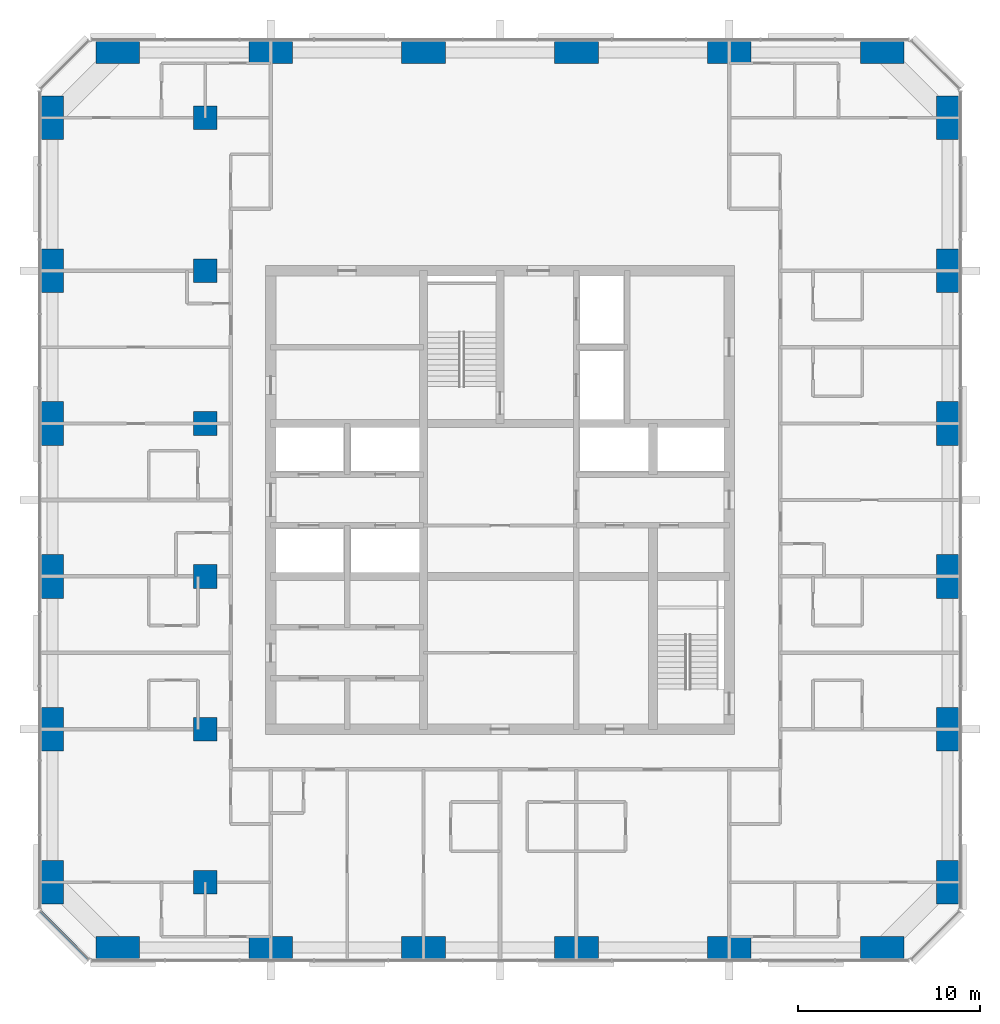
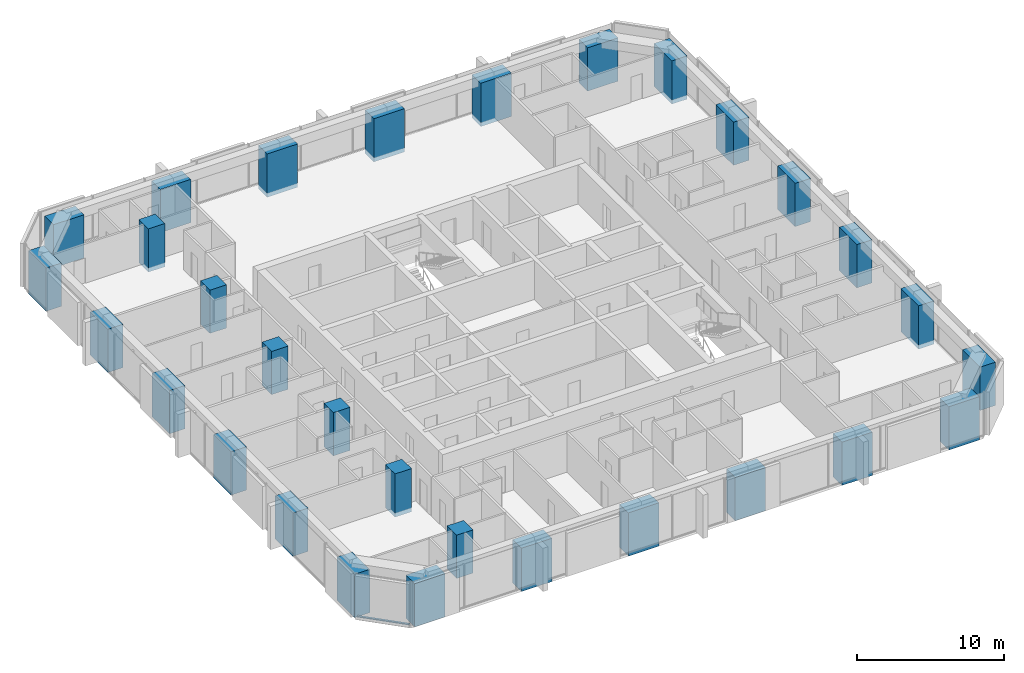
# One storey, part 1 of 13: 30 columns, 1 member, 1 element without a shape of its own.
"""IFC4 building model written with IfcOpenShell, lengths in metres."""

import ifcopenshell
import ifcopenshell.guid

model = None  # the IFC model being written
_history = None  # IfcOwnerHistory: only IFC2X3 demands one
_inside = {}  # id of a spatial element -> (the spatial element, [elements in it])
_under = {}  # id of a project, library or spatial element -> (it, [spatial elements below it])
_declared = {}  # id of a project -> (the project, [libraries it declares])
_typed = {}  # id of a type object -> (the type object, [elements of that type])
_made_of = {}  # id of a material, layer set ... -> (it, [elements and type objects made of it])


def new_model(schema):
    """Start an empty IFC model of exactly this schema.

    Asked for "IFC4X3", IfcOpenShell would pick the latest addendum, in which some entities
    have other attributes; the version numbers below select the first issue.
    IFC2X3 requires an IfcOwnerHistory on every rooted entity: one is made here for all.
    """
    global model, _history
    if schema == "IFC4X3":
        model = ifcopenshell.file(schema_version=(4, 3, 0, 0))
    else:
        model = ifcopenshell.file(schema=schema)
    _inside.clear()
    _under.clear()
    _declared.clear()
    _typed.clear()
    _made_of.clear()
    _history = None
    if model.schema == "IFC2X3":
        org = make("IfcOrganization", Name="unknown")
        user = make(
            "IfcPersonAndOrganization",
            ThePerson=make("IfcPerson", FamilyName="unknown"),
            TheOrganization=org,
        )
        app = make(
            "IfcApplication",
            ApplicationDeveloper=org,
            Version="unknown",
            ApplicationFullName="unknown",
            ApplicationIdentifier="unknown",
        )
        _history = make(
            "IfcOwnerHistory",
            OwningUser=user,
            OwningApplication=app,
            ChangeAction="ADDED",
            CreationDate=0,
        )
    return model


def make(cls, **values):
    """One entity of the class cls with the attributes given. An attribute that is None is left unset."""
    return model.create_entity(
        cls, **{name: value for name, value in values.items() if value is not None}
    )


def rooted(cls, **values):
    """An entity with a GlobalId (a new one), such as an element, a storey or a relation."""
    return make(cls, GlobalId=ifcopenshell.guid.new(), OwnerHistory=_history, **values)


def si_unit(unit_type, name, prefix=None):
    """IfcSIUnit, for example si_unit("LENGTHUNIT", "METRE", prefix="MILLI")."""
    return make("IfcSIUnit", UnitType=unit_type, Prefix=prefix, Name=name)


def assignment(units):
    """IfcUnitAssignment: the units of a project."""
    return None if units is None else make("IfcUnitAssignment", Units=units)


def point(xyz):
    """IfcCartesianPoint."""
    return None if xyz is None else make("IfcCartesianPoint", Coordinates=xyz)


def direction(xyz):
    """IfcDirection."""
    return None if xyz is None else make("IfcDirection", DirectionRatios=xyz)


def frame(location, z_axis=None, x_axis=None):
    """IfcAxis2Placement3D, a coordinate frame: its origin and axes. An axis left out is left unset."""
    return make(
        "IfcAxis2Placement3D",
        Location=point(location),
        Axis=direction(z_axis),
        RefDirection=direction(x_axis),
    )


def frame_2d(location, x_axis=None):
    """IfcAxis2Placement2D, a coordinate frame in the plane: its origin and x axis."""
    return make(
        "IfcAxis2Placement2D", Location=point(location), RefDirection=direction(x_axis)
    )


def origin():
    """The frame at (0, 0, 0) with its axes left unset."""
    return frame((0.0, 0.0, 0.0))


def origin_2d():
    """The frame at (0, 0) in the plane with its x axis left unset."""
    return frame_2d((0.0, 0.0))


def place(relative_to, where):
    """IfcLocalPlacement: puts the frame where relative to a parent placement (None: the world)."""
    return make(
        "IfcLocalPlacement", PlacementRelTo=relative_to, RelativePlacement=where
    )


def context(
    kind, dimensions, precision=None, world=None, true_north=None, identifier=None
):
    """IfcGeometricRepresentationContext, for example the 3D "Model" context."""
    return make(
        "IfcGeometricRepresentationContext",
        ContextIdentifier=identifier,
        ContextType=kind,
        CoordinateSpaceDimension=dimensions,
        Precision=precision,
        WorldCoordinateSystem=world,
        TrueNorth=true_north,
    )


def subcontext(parent, identifier, kind, view, scale=None):
    """IfcGeometricRepresentationSubContext, for example "Body" below "Model"."""
    return make(
        "IfcGeometricRepresentationSubContext",
        ContextIdentifier=identifier,
        ContextType=kind,
        ParentContext=parent,
        TargetScale=scale,
        TargetView=view,
    )


def project(units=None, contexts=None):
    """IfcProject with its units and contexts."""
    return rooted(
        "IfcProject",
        Name="project",
        RepresentationContexts=contexts,
        UnitsInContext=assignment(units),
    )


def spatial(cls, under=None, at=None, **own):
    """A site, building, storey or space (cls), placed at a placement, below another one or the project."""
    s = rooted(cls, ObjectPlacement=at, **own)
    if under is not None:
        _under.setdefault(under.id(), (under, []))[1].append(s)
    return s


def profile(cls, at=None, kind="AREA", **sizes):
    """A parametric profile (cls). Its sizes go by their IFC names, for example OverallWidth=200.0."""
    return make(cls, ProfileType=kind, Position=at, **sizes)


def rectangle(**sizes):
    """IfcRectangleProfileDef."""
    return profile("IfcRectangleProfileDef", **sizes)


def extrude(swept, where, along, depth):
    """IfcExtrudedAreaSolid: the profile swept, set in the frame where, extruded along a direction by depth."""
    return make(
        "IfcExtrudedAreaSolid",
        SweptArea=swept,
        Position=where,
        ExtrudedDirection=direction(along),
        Depth=depth,
    )


def shape(context_of_items, identifier, shape_type, items):
    """IfcShapeRepresentation: the items that make up one representation, for example the "Body"."""
    return make(
        "IfcShapeRepresentation",
        ContextOfItems=context_of_items,
        RepresentationIdentifier=identifier,
        RepresentationType=shape_type,
        Items=items,
    )


def material(Name=None, Category=None):
    """IfcMaterial."""
    return make("IfcMaterial", Name=Name, Category=Category)


def material_profile(
    of_material, cross_section, Name=None, Category=None, Priority=None
):
    """IfcMaterialProfile: a cross section and its material."""
    return make(
        "IfcMaterialProfile",
        Name=Name,
        Material=of_material,
        Profile=cross_section,
        Priority=Priority,
        Category=Category,
    )


def profile_set(profiles, Name=None, composite=None):
    """IfcMaterialProfileSet."""
    return make(
        "IfcMaterialProfileSet",
        Name=Name,
        MaterialProfiles=profiles,
        CompositeProfile=composite,
    )


def made_of(thing, what):
    """Note that an element or type object is made of a material, layer set ...; save() writes the relation."""
    if what is not None:
        _made_of.setdefault(what.id(), (what, []))[1].append(thing)
    return thing


def type_object(cls, material=None, **own):
    """A type object (cls), such as IfcWallType, which elements share."""
    return made_of(rooted(cls, **own), material)


def element(
    cls,
    number,
    at=None,
    inside=None,
    cuts=None,
    type_object=None,
    material=None,
    context=None,
    identifier="Body",
    shape_type=None,
    held_by="IfcProductDefinitionShape",
    body=None,
    shapes=None,
    **own,
):
    """One element of the class cls, such as IfcWall. Its Tag is "e" and its number.

    at: its placement. inside: the storey or other place that contains it. cuts: it is an
    opening in that element (IfcRelVoidsElement). A single representation is given by context,
    identifier, shape_type and body (its items); several are given by shapes. held_by: the class
    of the entity that holds the representations. save() writes the other relations.
    """
    e = rooted(cls, Tag="e%d" % number, ObjectPlacement=at, **own)
    if body is not None:
        shapes = [shape(context, identifier, shape_type, body)]
    if shapes is not None:
        e.Representation = make(held_by, Representations=shapes)
    if inside is not None:
        _inside.setdefault(inside.id(), (inside, []))[1].append(e)
    if cuts is not None:
        rooted(
            "IfcRelVoidsElement", RelatingBuildingElement=cuts, RelatedOpeningElement=e
        )
    if type_object is not None:
        _typed.setdefault(type_object.id(), (type_object, []))[1].append(e)
    return made_of(e, material)


def aggregate(whole, parts):
    """IfcRelAggregates: a whole, such as a stair, and the parts it consists of."""
    return rooted("IfcRelAggregates", RelatingObject=whole, RelatedObjects=parts)


def save(model, path):
    """Write the relations noted so far, then the file.

    IfcRelAggregates (storeys below a building ...), IfcRelContainedInSpatialStructure (elements
    in a storey), IfcRelDefinesByType, IfcRelAssociatesMaterial and IfcRelDeclares: one each for
    every whole, place, type object, material and project.
    """
    for whole, parts in _under.values():
        aggregate(whole, parts)
    for where, things in _inside.values():
        rooted(
            "IfcRelContainedInSpatialStructure",
            RelatedElements=things,
            RelatingStructure=where,
        )
    for kind, things in _typed.values():
        rooted("IfcRelDefinesByType", RelatedObjects=things, RelatingType=kind)
    for what, things in _made_of.values():
        rooted("IfcRelAssociatesMaterial", RelatedObjects=things, RelatingMaterial=what)
    for by, libraries in _declared.values():
        rooted("IfcRelDeclares", RelatingContext=by, RelatedDefinitions=libraries)
    model.write(path)


model = new_model("IFC4")

# Units and contexts
model_context = context("Model", 3, precision=1e-05, world=origin(), true_north=direction((0.0, 1.0)))
body_context = subcontext(model_context, "Body", "Model", "MODEL_VIEW")
ifc_project = project(units=[si_unit("LENGTHUNIT", "METRE"), si_unit("AREAUNIT", "SQUARE_METRE"), si_unit("VOLUMEUNIT", "CUBIC_METRE"), si_unit("PLANEANGLEUNIT", "RADIAN"), si_unit("MASSUNIT", "GRAM", prefix="KILO")], contexts=[model_context])

# Site, building, storey
site_placement = place(None, origin())
site = spatial("IfcSite", under=ifc_project, at=site_placement, CompositionType="ELEMENT")
building_placement = place(site_placement, origin())
building = spatial("IfcBuilding", under=site, at=building_placement, Name="Dunama Terrace Hotel", CompositionType="ELEMENT")
storey_placement = place(building_placement, frame((0.0, 0.0, 205.800048828125)))
storey = spatial("IfcBuildingStorey", under=building, at=storey_placement, Name="L53", CompositionType="ELEMENT", Elevation=205.800048828125)

# Columns
ifc_material_1 = material(Name="Concrete C60/75", Category="concrete")
ifc_material_profile_1 = material_profile(ifc_material_1, rectangle(XDim=1.199951171875, YDim=2.39990234375, at=origin_2d()), Name="RC 1200x2400")
ifc_profile_set_1 = profile_set([ifc_material_profile_1], Name="Concrete C60/75")
column_type_1 = type_object("IfcColumnType", Name="Column RC 1200x2400", PredefinedType="COLUMN", material=ifc_profile_set_1)
for number, where, z_axis, x_axis, name in (
    (1, (4.800048828125, 8.39990234375, -0.35009765625), (0.0, 0.0, 1.0), (1.0, 0.0, 0.0), "Column L53 +4.8/+8.4"),
    (2, (4.800048828125, 16.800048828125, -0.35009765625), (0.0, 0.0, 1.0), (1.0, 0.0, 0.0), "Column L53 +4.8/+16.8"),
    (3, (4.800048828125, 25.199951171875, -0.35009765625), (0.0, 0.0, 1.0), (1.0, 0.0, 0.0), "Column L53 +4.8/+25.2"),
    (4, (4.800048828125, 33.60009765625, -0.35009765625), (0.0, 0.0, 1.0), (1.0, 0.0, 0.0), "Column L53 +4.8/+33.6"),
    (5, (4.800048828125, 42.0, -0.35009765625), (0.0, 0.0, 1.0), (1.0, 0.0, 0.0), "Column L53 +4.8/+42.0"),
    (6, (4.800048828125, 50.39990234375, -0.35009765625), (0.0, 0.0, 1.0), (1.0, 0.0, 0.0), "Column L53 +4.8/+50.4"),
    (7, (54.0, 8.39990234375, -0.35009765625), (0.0, 0.0, 1.0), (1.0, 0.0, 0.0), "Column L53 +54.0/+8.4"),
    (8, (54.0, 16.800048828125, -0.35009765625), (0.0, 0.0, 1.0), (1.0, 0.0, 0.0), "Column L53 +54.0/+16.8"),
    (9, (54.0, 25.199951171875, -0.35009765625), (0.0, 0.0, 1.0), (1.0, 0.0, 0.0), "Column L53 +54.0/+25.2"),
    (10, (54.0, 33.60009765625, -0.35009765625), (0.0, 0.0, 1.0), (1.0, 0.0, 0.0), "Column L53 +54.0/+33.6"),
    (11, (54.0, 42.0, -0.35009765625), (0.0, 0.0, 1.0), (1.0, 0.0, 0.0), "Column L53 +54.0/+42.0"),
    (12, (54.0, 50.39990234375, -0.35009765625), (0.0, 0.0, 1.0), (1.0, 0.0, 0.0), "Column L53 +54.0/+50.4"),
):
    element("IfcColumn", number, at=place(storey_placement, frame(where, z_axis=z_axis, x_axis=x_axis)), inside=storey, type_object=column_type_1, Name=name, PredefinedType="COLUMN", context=body_context, shape_type="SweptSolid", body=[
        extrude(rectangle(XDim=1.199951171875, YDim=2.39990234375, at=origin_2d()), origin(), (0.0, 0.0, 1.0), 3.60009765625),
    ])
ifc_material_2 = material(Name="Concrete C60/75", Category="concrete")
ifc_material_profile_2 = material_profile(ifc_material_2, rectangle(XDim=1.300048828125, YDim=1.300048828125, at=origin_2d()), Name="RC 1300x1300")
ifc_profile_set_2 = profile_set([ifc_material_profile_2], Name="Concrete C60/75")
column_type_2 = type_object("IfcColumnType", Name="Column RC 1300x1300", PredefinedType="COLUMN", material=ifc_profile_set_2)
for number, where, z_axis, x_axis, name in (
    (13, (13.199951171875, 8.39990234375, -0.35009765625), (0.0, 0.0, 1.0), (1.0, 0.0, 0.0), "Column L53 +13.2/+8.4"),
    (14, (13.199951171875, 16.800048828125, -0.35009765625), (0.0, 0.0, 1.0), (1.0, 0.0, 0.0), "Column L53 +13.2/+16.8"),
    (15, (13.199951171875, 25.199951171875, -0.35009765625), (0.0, 0.0, 1.0), (1.0, 0.0, 0.0), "Column L53 +13.2/+25.2"),
    (16, (13.199951171875, 33.60009765625, -0.35009765625), (0.0, 0.0, 1.0), (1.0, 0.0, 0.0), "Column L53 +13.2/+33.6"),
    (17, (13.199951171875, 42.0, -0.35009765625), (0.0, 0.0, 1.0), (1.0, 0.0, 0.0), "Column L53 +13.2/+42.0"),
    (18, (13.199951171875, 50.39990234375, -0.35009765625), (0.0, 0.0, 1.0), (1.0, 0.0, 0.0), "Column L53 +13.2/+50.4"),
):
    element("IfcColumn", number, at=place(storey_placement, frame(where, z_axis=z_axis, x_axis=x_axis)), inside=storey, type_object=column_type_2, Name=name, PredefinedType="COLUMN", context=body_context, shape_type="SweptSolid", body=[
        extrude(rectangle(XDim=1.300048828125, YDim=1.300048828125, at=origin_2d()), origin(), (0.0, 0.0, 1.0), 3.60009765625),
    ])
ifc_material_3 = material(Name="Concrete C60/75", Category="concrete")
ifc_material_profile_3 = material_profile(ifc_material_3, rectangle(XDim=2.39990234375, YDim=1.199951171875, at=origin_2d()), Name="RC 2400x1200")
ifc_profile_set_3 = profile_set([ifc_material_profile_3], Name="Concrete C60/75")
column_type_3 = type_object("IfcColumnType", Name="Column RC 2400x1200", PredefinedType="COLUMN", material=ifc_profile_set_3)
for number, where, z_axis, x_axis, name in (
    (19, (8.39990234375, 4.800048828125, -0.35009765625), (0.0, 0.0, 1.0), (1.0, 0.0, 0.0), "Column L53 +8.4/+4.8"),
    (20, (8.39990234375, 54.0, -0.35009765625), (0.0, 0.0, 1.0), (1.0, 0.0, 0.0), "Column L53 +8.4/+54.0"),
    (21, (16.800048828125, 4.800048828125, -0.35009765625), (0.0, 0.0, 1.0), (1.0, 0.0, 0.0), "Column L53 +16.8/+4.8"),
    (22, (16.800048828125, 54.0, -0.35009765625), (0.0, 0.0, 1.0), (1.0, 0.0, 0.0), "Column L53 +16.8/+54.0"),
    (23, (25.199951171875, 4.800048828125, -0.35009765625), (0.0, 0.0, 1.0), (1.0, 0.0, 0.0), "Column L53 +25.2/+4.8"),
    (24, (25.199951171875, 54.0, -0.35009765625), (0.0, 0.0, 1.0), (1.0, 0.0, 0.0), "Column L53 +25.2/+54.0"),
    (25, (33.60009765625, 4.800048828125, -0.35009765625), (0.0, 0.0, 1.0), (1.0, 0.0, 0.0), "Column L53 +33.6/+4.8"),
    (26, (33.60009765625, 54.0, -0.35009765625), (0.0, 0.0, 1.0), (1.0, 0.0, 0.0), "Column L53 +33.6/+54.0"),
    (27, (42.0, 4.800048828125, -0.35009765625), (0.0, 0.0, 1.0), (1.0, 0.0, 0.0), "Column L53 +42.0/+4.8"),
    (28, (42.0, 54.0, -0.35009765625), (0.0, 0.0, 1.0), (1.0, 0.0, 0.0), "Column L53 +42.0/+54.0"),
    (29, (50.39990234375, 4.800048828125, -0.35009765625), (0.0, 0.0, 1.0), (1.0, 0.0, 0.0), "Column L53 +50.4/+4.8"),
    (30, (50.39990234375, 54.0, -0.35009765625), (0.0, 0.0, 1.0), (1.0, 0.0, 0.0), "Column L53 +50.4/+54.0"),
):
    element("IfcColumn", number, at=place(storey_placement, frame(where, z_axis=z_axis, x_axis=x_axis)), inside=storey, type_object=column_type_3, Name=name, PredefinedType="COLUMN", context=body_context, shape_type="SweptSolid", body=[
        extrude(rectangle(XDim=2.39990234375, YDim=1.199951171875, at=origin_2d()), origin(), (0.0, 0.0, 1.0), 3.60009765625),
    ])

# Curtain wall, member
ifc_material_4 = material(Name="Aluminium curtain wall system", Category="aluminium")
curtain_wall_type = type_object("IfcCurtainWallType", Name="Unitised fritted glass wall CW-C", PredefinedType="NOTDEFINED", material=ifc_material_4)
curtain_wall_placement = place(storey_placement, origin())
curtain_wall = element("IfcCurtainWall", 31, at=curtain_wall_placement, inside=storey, type_object=curtain_wall_type, Name="Unitised fritted glass wall CW-C L53", PredefinedType="NOTDEFINED")
ifc_material_5 = material(Name="Aluminium transom", Category="aluminium")
ifc_material_profile_4 = material_profile(ifc_material_5, rectangle(XDim=0.159912109375, YDim=0.080078125, at=origin_2d()), Name="CWC TRANSOM 160X80")
ifc_profile_set_4 = profile_set([ifc_material_profile_4], Name="Aluminium transom")
member_type = type_object("IfcMemberType", Name="CWC transom 160x80", PredefinedType="USERDEFINED", material=ifc_profile_set_4)
member_placement = place(storey_placement, frame((4.178955078125, 6.780029296875, 0.0400390625), z_axis=(0.707106781187, -0.707106781187, 0.0), x_axis=(0.707106781187, 0.707106781187, 0.0)))
member = element("IfcMember", 32, at=member_placement, type_object=member_type, Name="CWC transom", ObjectType="TRANSOM", PredefinedType="USERDEFINED", context=body_context, shape_type="SweptSolid", body=[
    extrude(rectangle(XDim=0.159912109375, YDim=0.080078125, at=origin_2d()), origin(), (0.0, 0.0, 1.0), 3.678466796875),
])
aggregate(curtain_wall, [member])

save(model, "model.ifc")
